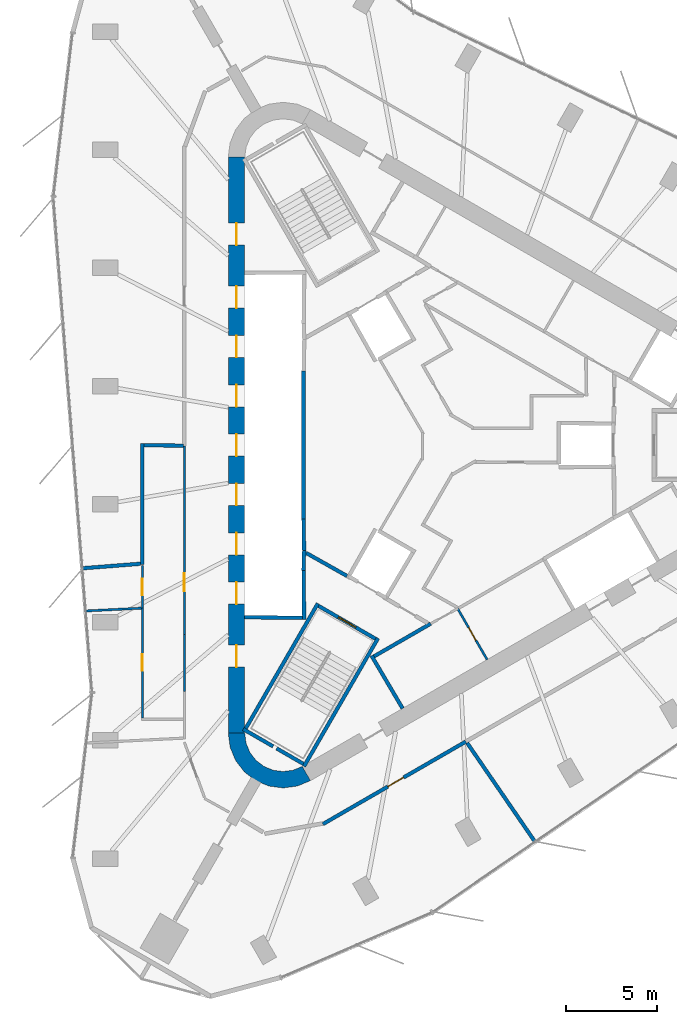
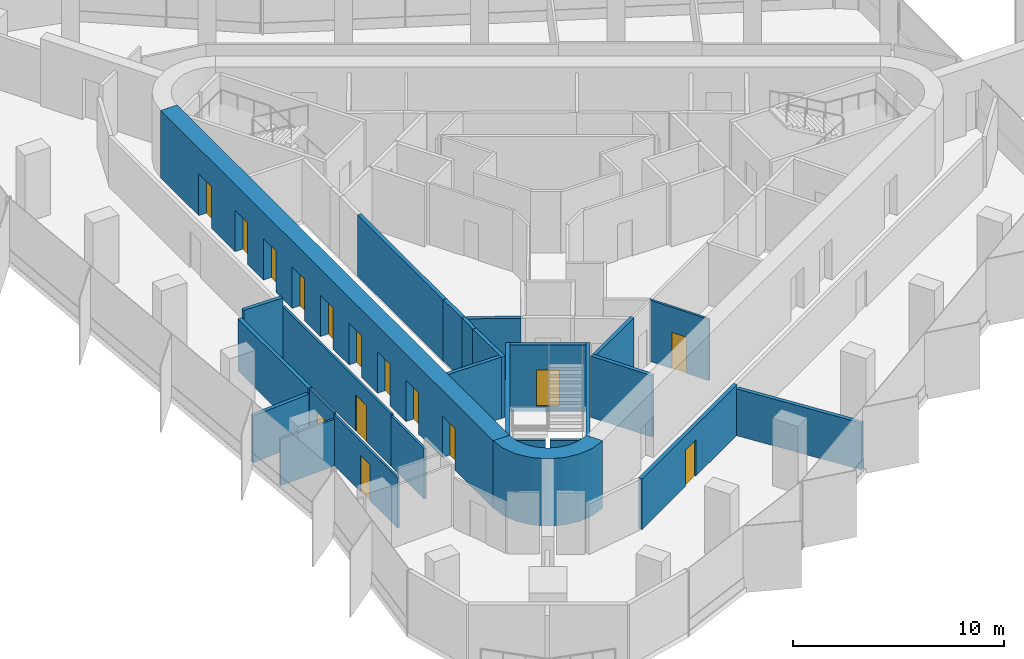
# One storey, part 7 of 12: 26 walls, 15 doors, 15 openings.
"""IFC4 building model written with IfcOpenShell, lengths in metres."""

import ifcopenshell
import ifcopenshell.guid

model = None  # the IFC model being written
_history = None  # IfcOwnerHistory: only IFC2X3 demands one
_inside = {}  # id of a spatial element -> (the spatial element, [elements in it])
_under = {}  # id of a project, library or spatial element -> (it, [spatial elements below it])
_declared = {}  # id of a project -> (the project, [libraries it declares])
_typed = {}  # id of a type object -> (the type object, [elements of that type])
_made_of = {}  # id of a material, layer set ... -> (it, [elements and type objects made of it])


def new_model(schema):
    """Start an empty IFC model of exactly this schema.

    Asked for "IFC4X3", IfcOpenShell would pick the latest addendum, in which some entities
    have other attributes; the version numbers below select the first issue.
    IFC2X3 requires an IfcOwnerHistory on every rooted entity: one is made here for all.
    """
    global model, _history
    if schema == "IFC4X3":
        model = ifcopenshell.file(schema_version=(4, 3, 0, 0))
    else:
        model = ifcopenshell.file(schema=schema)
    _inside.clear()
    _under.clear()
    _declared.clear()
    _typed.clear()
    _made_of.clear()
    _history = None
    if model.schema == "IFC2X3":
        org = make("IfcOrganization", Name="unknown")
        user = make(
            "IfcPersonAndOrganization",
            ThePerson=make("IfcPerson", FamilyName="unknown"),
            TheOrganization=org,
        )
        app = make(
            "IfcApplication",
            ApplicationDeveloper=org,
            Version="unknown",
            ApplicationFullName="unknown",
            ApplicationIdentifier="unknown",
        )
        _history = make(
            "IfcOwnerHistory",
            OwningUser=user,
            OwningApplication=app,
            ChangeAction="ADDED",
            CreationDate=0,
        )
    return model


def make(cls, **values):
    """One entity of the class cls with the attributes given. An attribute that is None is left unset."""
    return model.create_entity(
        cls, **{name: value for name, value in values.items() if value is not None}
    )


def rooted(cls, **values):
    """An entity with a GlobalId (a new one), such as an element, a storey or a relation."""
    return make(cls, GlobalId=ifcopenshell.guid.new(), OwnerHistory=_history, **values)


def si_unit(unit_type, name, prefix=None):
    """IfcSIUnit, for example si_unit("LENGTHUNIT", "METRE", prefix="MILLI")."""
    return make("IfcSIUnit", UnitType=unit_type, Prefix=prefix, Name=name)


def assignment(units):
    """IfcUnitAssignment: the units of a project."""
    return None if units is None else make("IfcUnitAssignment", Units=units)


def point(xyz):
    """IfcCartesianPoint."""
    return None if xyz is None else make("IfcCartesianPoint", Coordinates=xyz)


def direction(xyz):
    """IfcDirection."""
    return None if xyz is None else make("IfcDirection", DirectionRatios=xyz)


def frame(location, z_axis=None, x_axis=None):
    """IfcAxis2Placement3D, a coordinate frame: its origin and axes. An axis left out is left unset."""
    return make(
        "IfcAxis2Placement3D",
        Location=point(location),
        Axis=direction(z_axis),
        RefDirection=direction(x_axis),
    )


def frame_2d(location, x_axis=None):
    """IfcAxis2Placement2D, a coordinate frame in the plane: its origin and x axis."""
    return make(
        "IfcAxis2Placement2D", Location=point(location), RefDirection=direction(x_axis)
    )


def origin():
    """The frame at (0, 0, 0) with its axes left unset."""
    return frame((0.0, 0.0, 0.0))


def place(relative_to, where):
    """IfcLocalPlacement: puts the frame where relative to a parent placement (None: the world)."""
    return make(
        "IfcLocalPlacement", PlacementRelTo=relative_to, RelativePlacement=where
    )


def context(
    kind, dimensions, precision=None, world=None, true_north=None, identifier=None
):
    """IfcGeometricRepresentationContext, for example the 3D "Model" context."""
    return make(
        "IfcGeometricRepresentationContext",
        ContextIdentifier=identifier,
        ContextType=kind,
        CoordinateSpaceDimension=dimensions,
        Precision=precision,
        WorldCoordinateSystem=world,
        TrueNorth=true_north,
    )


def subcontext(parent, identifier, kind, view, scale=None):
    """IfcGeometricRepresentationSubContext, for example "Body" below "Model"."""
    return make(
        "IfcGeometricRepresentationSubContext",
        ContextIdentifier=identifier,
        ContextType=kind,
        ParentContext=parent,
        TargetScale=scale,
        TargetView=view,
    )


def project(units=None, contexts=None):
    """IfcProject with its units and contexts."""
    return rooted(
        "IfcProject",
        Name="project",
        RepresentationContexts=contexts,
        UnitsInContext=assignment(units),
    )


def spatial(cls, under=None, at=None, **own):
    """A site, building, storey or space (cls), placed at a placement, below another one or the project."""
    s = rooted(cls, ObjectPlacement=at, **own)
    if under is not None:
        _under.setdefault(under.id(), (under, []))[1].append(s)
    return s


def polyline(points):
    """IfcPolyline through the points."""
    return make("IfcPolyline", Points=[point(p) for p in points])


def profile(cls, at=None, kind="AREA", **sizes):
    """A parametric profile (cls). Its sizes go by their IFC names, for example OverallWidth=200.0."""
    return make(cls, ProfileType=kind, Position=at, **sizes)


def rectangle(**sizes):
    """IfcRectangleProfileDef."""
    return profile("IfcRectangleProfileDef", **sizes)


def outline(outer, holes=None, kind="AREA"):
    """IfcArbitraryClosedProfileDef: a profile drawn as a closed curve; with holes, ...WithVoids."""
    if holes is None:
        return make("IfcArbitraryClosedProfileDef", ProfileType=kind, OuterCurve=outer)
    return make(
        "IfcArbitraryProfileDefWithVoids",
        ProfileType=kind,
        OuterCurve=outer,
        InnerCurves=holes,
    )


def extrude(swept, where, along, depth):
    """IfcExtrudedAreaSolid: the profile swept, set in the frame where, extruded along a direction by depth."""
    return make(
        "IfcExtrudedAreaSolid",
        SweptArea=swept,
        Position=where,
        ExtrudedDirection=direction(along),
        Depth=depth,
    )


def shape(context_of_items, identifier, shape_type, items):
    """IfcShapeRepresentation: the items that make up one representation, for example the "Body"."""
    return make(
        "IfcShapeRepresentation",
        ContextOfItems=context_of_items,
        RepresentationIdentifier=identifier,
        RepresentationType=shape_type,
        Items=items,
    )


def material(Name=None, Category=None):
    """IfcMaterial."""
    return make("IfcMaterial", Name=Name, Category=Category)


def layer(
    of_material, thickness, ventilated=None, Name=None, Category=None, Priority=None
):
    """IfcMaterialLayer: one layer of a wall or slab, of a material (None: an air gap)."""
    return make(
        "IfcMaterialLayer",
        Material=of_material,
        LayerThickness=thickness,
        IsVentilated=ventilated,
        Name=Name,
        Category=Category,
        Priority=Priority,
    )


def layer_set(layers, Name=None):
    """IfcMaterialLayerSet."""
    return make("IfcMaterialLayerSet", MaterialLayers=layers, LayerSetName=Name)


def made_of(thing, what):
    """Note that an element or type object is made of a material, layer set ...; save() writes the relation."""
    if what is not None:
        _made_of.setdefault(what.id(), (what, []))[1].append(thing)
    return thing


def type_object(cls, material=None, **own):
    """A type object (cls), such as IfcWallType, which elements share."""
    return made_of(rooted(cls, **own), material)


def element(
    cls,
    number,
    at=None,
    inside=None,
    cuts=None,
    type_object=None,
    material=None,
    context=None,
    identifier="Body",
    shape_type=None,
    held_by="IfcProductDefinitionShape",
    body=None,
    shapes=None,
    **own,
):
    """One element of the class cls, such as IfcWall. Its Tag is "e" and its number.

    at: its placement. inside: the storey or other place that contains it. cuts: it is an
    opening in that element (IfcRelVoidsElement). A single representation is given by context,
    identifier, shape_type and body (its items); several are given by shapes. held_by: the class
    of the entity that holds the representations. save() writes the other relations.
    """
    e = rooted(cls, Tag="e%d" % number, ObjectPlacement=at, **own)
    if body is not None:
        shapes = [shape(context, identifier, shape_type, body)]
    if shapes is not None:
        e.Representation = make(held_by, Representations=shapes)
    if inside is not None:
        _inside.setdefault(inside.id(), (inside, []))[1].append(e)
    if cuts is not None:
        rooted(
            "IfcRelVoidsElement", RelatingBuildingElement=cuts, RelatedOpeningElement=e
        )
    if type_object is not None:
        _typed.setdefault(type_object.id(), (type_object, []))[1].append(e)
    return made_of(e, material)


def fill(opening, filler):
    """IfcRelFillsElement: the door or window that sits in an opening."""
    return rooted(
        "IfcRelFillsElement",
        RelatingOpeningElement=opening,
        RelatedBuildingElement=filler,
    )


def aggregate(whole, parts):
    """IfcRelAggregates: a whole, such as a stair, and the parts it consists of."""
    return rooted("IfcRelAggregates", RelatingObject=whole, RelatedObjects=parts)


def save(model, path):
    """Write the relations noted so far, then the file.

    IfcRelAggregates (storeys below a building ...), IfcRelContainedInSpatialStructure (elements
    in a storey), IfcRelDefinesByType, IfcRelAssociatesMaterial and IfcRelDeclares: one each for
    every whole, place, type object, material and project.
    """
    for whole, parts in _under.values():
        aggregate(whole, parts)
    for where, things in _inside.values():
        rooted(
            "IfcRelContainedInSpatialStructure",
            RelatedElements=things,
            RelatingStructure=where,
        )
    for kind, things in _typed.values():
        rooted("IfcRelDefinesByType", RelatedObjects=things, RelatingType=kind)
    for what, things in _made_of.values():
        rooted("IfcRelAssociatesMaterial", RelatedObjects=things, RelatingMaterial=what)
    for by, libraries in _declared.values():
        rooted("IfcRelDeclares", RelatingContext=by, RelatedDefinitions=libraries)
    model.write(path)


model = new_model("IFC4")

# Units and contexts
model_context = context("Model", 3, precision=1e-05, world=origin(), true_north=direction((0.0, 1.0)))
body_context = subcontext(model_context, "Body", "Model", "MODEL_VIEW")
ifc_project = project(units=[si_unit("LENGTHUNIT", "METRE"), si_unit("AREAUNIT", "SQUARE_METRE"), si_unit("VOLUMEUNIT", "CUBIC_METRE"), si_unit("PLANEANGLEUNIT", "RADIAN"), si_unit("MASSUNIT", "GRAM", prefix="KILO")], contexts=[model_context])

# Site, building, storey
site_placement = place(None, origin())
site = spatial("IfcSite", under=ifc_project, at=site_placement, CompositionType="ELEMENT")
building_placement = place(site_placement, origin())
building = spatial("IfcBuilding", under=site, at=building_placement, Name="Tanit Gate Tower", CompositionType="ELEMENT")
storey_placement = place(building_placement, frame((0.0, 0.0, 388.39990234375)))
storey = spatial("IfcBuildingStorey", under=building, at=storey_placement, Name="L89", CompositionType="ELEMENT", Elevation=388.39990234375)

# Wall, openings, doors
ifc_material_1 = material(Name="Concrete C40/50", Category="concrete")
ifc_layer_1 = layer(ifc_material_1, 0.89990234375)
ifc_layer_set_1 = layer_set([ifc_layer_1], Name="CORE WALL 900 C40/50")
wall_type_1 = type_object("IfcWallType", Name="CORE WALL 900 C40/50", PredefinedType="SHEAR", material=ifc_layer_set_1)
wall_1_placement = place(storey_placement, frame((-11.64990234375, 15.76171875, 0.0), z_axis=(0.0, 0.0, 1.0), x_axis=(0.0, -1.0, 0.0)))
wall_1 = element("IfcWall", 1, at=wall_1_placement, inside=storey, type_object=wall_type_1, Name="CORE WALL", PredefinedType="SHEAR", context=body_context, shape_type="SweptSolid", body=[
    extrude(rectangle(XDim=31.5234375, YDim=0.89990234375, at=frame_2d((15.76171875, 0.0))), origin(), (0.0, 0.0, 1.0), 3.900146484375),
])
opening_1_placement = place(wall_1_placement, frame((7.061767578125, 0.0, 0.0)))
opening_1 = element("IfcOpeningElement", 2, at=opening_1_placement, cuts=wall_1, Name="Opening LDHL1-89", PredefinedType="OPENING", context=body_context, shape_type="SweptSolid", body=[
    extrude(rectangle(XDim=1.199951171875, YDim=2.39990234375, at=frame_2d((0.60009765625, 1.199951171875))), frame((0.0, 0.4599609375, 0.0), z_axis=(0.0, -1.0, 0.0), x_axis=(1.0, 0.0, 0.0)), (0.0, 0.0, 1.0), 0.919921875),
])
opening_2_placement = place(wall_1_placement, frame((9.76171875, 0.0, 0.0)))
opening_2 = element("IfcOpeningElement", 3, at=opening_2_placement, cuts=wall_1, Name="Opening LDHL2-89", PredefinedType="OPENING", context=body_context, shape_type="SweptSolid", body=[
    extrude(rectangle(XDim=1.199951171875, YDim=2.39990234375, at=frame_2d((0.60009765625, 1.199951171875))), frame((0.0, 0.4599609375, 0.0), z_axis=(0.0, -1.0, 0.0), x_axis=(1.0, 0.0, 0.0)), (0.0, 0.0, 1.0), 0.919921875),
])
opening_3_placement = place(wall_1_placement, frame((12.461669921875, 0.0, 0.0)))
opening_3 = element("IfcOpeningElement", 4, at=opening_3_placement, cuts=wall_1, Name="Opening LDHL3-89", PredefinedType="OPENING", context=body_context, shape_type="SweptSolid", body=[
    extrude(rectangle(XDim=1.199951171875, YDim=2.39990234375, at=frame_2d((0.60009765625, 1.199951171875))), frame((0.0, 0.4599609375, 0.0), z_axis=(0.0, -1.0, 0.0), x_axis=(1.0, 0.0, 0.0)), (0.0, 0.0, 1.0), 0.919921875),
])
opening_4_placement = place(wall_1_placement, frame((15.16162109375, 0.0, 0.0)))
opening_4 = element("IfcOpeningElement", 5, at=opening_4_placement, cuts=wall_1, Name="Opening LDHL4-89", PredefinedType="OPENING", context=body_context, shape_type="SweptSolid", body=[
    extrude(rectangle(XDim=1.199951171875, YDim=2.39990234375, at=frame_2d((0.60009765625, 1.199951171875))), frame((0.0, 0.4599609375, 0.0), z_axis=(0.0, -1.0, 0.0), x_axis=(1.0, 0.0, 0.0)), (0.0, 0.0, 1.0), 0.919921875),
])
opening_5_placement = place(wall_1_placement, frame((17.86181640625, 0.0, 0.0)))
opening_5 = element("IfcOpeningElement", 6, at=opening_5_placement, cuts=wall_1, Name="Opening LDHL5-89", PredefinedType="OPENING", context=body_context, shape_type="SweptSolid", body=[
    extrude(rectangle(XDim=1.199951171875, YDim=2.39990234375, at=frame_2d((0.60009765625, 1.199951171875))), frame((0.0, 0.4599609375, 0.0), z_axis=(0.0, -1.0, 0.0), x_axis=(1.0, 0.0, 0.0)), (0.0, 0.0, 1.0), 0.919921875),
])
opening_6_placement = place(wall_1_placement, frame((20.561767578125, 0.0, 0.0)))
opening_6 = element("IfcOpeningElement", 7, at=opening_6_placement, cuts=wall_1, Name="Opening LDHL6-89", PredefinedType="OPENING", context=body_context, shape_type="SweptSolid", body=[
    extrude(rectangle(XDim=1.199951171875, YDim=2.39990234375, at=frame_2d((0.60009765625, 1.199951171875))), frame((0.0, 0.4599609375, 0.0), z_axis=(0.0, -1.0, 0.0), x_axis=(1.0, 0.0, 0.0)), (0.0, 0.0, 1.0), 0.919921875),
])
opening_7_placement = place(wall_1_placement, frame((23.26171875, 0.0, 0.0)))
opening_7 = element("IfcOpeningElement", 8, at=opening_7_placement, cuts=wall_1, Name="Opening LDHL7-89", PredefinedType="OPENING", context=body_context, shape_type="SweptSolid", body=[
    extrude(rectangle(XDim=1.199951171875, YDim=2.39990234375, at=frame_2d((0.60009765625, 1.199951171875))), frame((0.0, 0.4599609375, 0.0), z_axis=(0.0, -1.0, 0.0), x_axis=(1.0, 0.0, 0.0)), (0.0, 0.0, 1.0), 0.919921875),
])
opening_8_placement = place(wall_1_placement, frame((3.61181640625, 0.0, 0.0)))
opening_8 = element("IfcOpeningElement", 9, at=opening_8_placement, cuts=wall_1, Name="Opening F12-89-FL2", PredefinedType="OPENING", context=body_context, shape_type="SweptSolid", body=[
    extrude(rectangle(XDim=1.199951171875, YDim=2.39990234375, at=frame_2d((0.60009765625, 1.199951171875))), frame((0.0, 0.4599609375, 0.0), z_axis=(0.0, -1.0, 0.0), x_axis=(1.0, 0.0, 0.0)), (0.0, 0.0, 1.0), 0.919921875),
])
opening_9_placement = place(wall_1_placement, frame((26.711669921875, 0.0, 0.0)))
opening_9 = element("IfcOpeningElement", 10, at=opening_9_placement, cuts=wall_1, Name="Opening F12-89-S3", PredefinedType="OPENING", context=body_context, shape_type="SweptSolid", body=[
    extrude(rectangle(XDim=1.199951171875, YDim=2.39990234375, at=frame_2d((0.60009765625, 1.199951171875))), frame((0.0, 0.4599609375, 0.0), z_axis=(0.0, -1.0, 0.0), x_axis=(1.0, 0.0, 0.0)), (0.0, 0.0, 1.0), 0.919921875),
])
ifc_material_2 = material(Name="Fire-rated steel door leaf", Category="steel")
door_type_1 = type_object("IfcDoorType", Name="INT-DOOR-FIRE-LOBBY-1200", OperationType="NOTDEFINED", PredefinedType="USERDEFINED", material=ifc_material_2)
door_1_placement = place(opening_8_placement, origin())
door_1 = element("IfcDoor", 11, at=door_1_placement, inside=storey, type_object=door_type_1, Name="Door F12-89-FL2", ObjectType="FIRE DOOR", OperationType="SINGLE_SWING_LEFT", OverallHeight=2.39990234375, OverallWidth=1.199951171875, PredefinedType="USERDEFINED", context=body_context, shape_type="SweptSolid", body=[
    extrude(rectangle(XDim=1.199951171875, YDim=2.39990234375, at=frame_2d((0.60009765625, 1.199951171875))), frame((0.0, 0.02490234375, 0.0), z_axis=(0.0, -1.0, 0.0), x_axis=(1.0, 0.0, 0.0)), (0.0, 0.0, 1.0), 0.050048828125),
])
fill(opening_8, door_1)
door_2_placement = place(opening_9_placement, origin())
door_2 = element("IfcDoor", 12, at=door_2_placement, inside=storey, type_object=door_type_1, Name="Door F12-89-S3", ObjectType="FIRE DOOR", OperationType="SINGLE_SWING_LEFT", OverallHeight=2.39990234375, OverallWidth=1.199951171875, PredefinedType="USERDEFINED", context=body_context, shape_type="SweptSolid", body=[
    extrude(rectangle(XDim=1.199951171875, YDim=2.39990234375, at=frame_2d((0.60009765625, 1.199951171875))), frame((0.0, 0.02490234375, 0.0), z_axis=(0.0, -1.0, 0.0), x_axis=(1.0, 0.0, 0.0)), (0.0, 0.0, 1.0), 0.050048828125),
])
fill(opening_9, door_2)
ifc_material_3 = material(Name="Stainless steel sliding door leaf", Category="steel")
door_type_2 = type_object("IfcDoorType", Name="INT-DOOR-LANDING-1200", OperationType="NOTDEFINED", PredefinedType="USERDEFINED", material=ifc_material_3)
door_3_placement = place(opening_1_placement, origin())
door_3 = element("IfcDoor", 13, at=door_3_placement, inside=storey, type_object=door_type_2, Name="Door LDHL1-89", ObjectType="LANDING DOOR", OperationType="SLIDING_TO_LEFT", OverallHeight=2.39990234375, OverallWidth=1.199951171875, PredefinedType="USERDEFINED", context=body_context, shape_type="SweptSolid", body=[
    extrude(rectangle(XDim=1.199951171875, YDim=2.39990234375, at=frame_2d((0.60009765625, 1.199951171875))), frame((0.0, 0.02490234375, 0.0), z_axis=(0.0, -1.0, 0.0), x_axis=(1.0, 0.0, 0.0)), (0.0, 0.0, 1.0), 0.050048828125),
])
fill(opening_1, door_3)
door_4_placement = place(opening_2_placement, origin())
door_4 = element("IfcDoor", 14, at=door_4_placement, inside=storey, type_object=door_type_2, Name="Door LDHL2-89", ObjectType="LANDING DOOR", OperationType="SLIDING_TO_LEFT", OverallHeight=2.39990234375, OverallWidth=1.199951171875, PredefinedType="USERDEFINED", context=body_context, shape_type="SweptSolid", body=[
    extrude(rectangle(XDim=1.199951171875, YDim=2.39990234375, at=frame_2d((0.60009765625, 1.199951171875))), frame((0.0, 0.02490234375, 0.0), z_axis=(0.0, -1.0, 0.0), x_axis=(1.0, 0.0, 0.0)), (0.0, 0.0, 1.0), 0.050048828125),
])
fill(opening_2, door_4)
door_5_placement = place(opening_3_placement, origin())
door_5 = element("IfcDoor", 15, at=door_5_placement, inside=storey, type_object=door_type_2, Name="Door LDHL3-89", ObjectType="LANDING DOOR", OperationType="SLIDING_TO_LEFT", OverallHeight=2.39990234375, OverallWidth=1.199951171875, PredefinedType="USERDEFINED", context=body_context, shape_type="SweptSolid", body=[
    extrude(rectangle(XDim=1.199951171875, YDim=2.39990234375, at=frame_2d((0.60009765625, 1.199951171875))), frame((0.0, 0.02490234375, 0.0), z_axis=(0.0, -1.0, 0.0), x_axis=(1.0, 0.0, 0.0)), (0.0, 0.0, 1.0), 0.050048828125),
])
fill(opening_3, door_5)
door_6_placement = place(opening_4_placement, origin())
door_6 = element("IfcDoor", 16, at=door_6_placement, inside=storey, type_object=door_type_2, Name="Door LDHL4-89", ObjectType="LANDING DOOR", OperationType="SLIDING_TO_LEFT", OverallHeight=2.39990234375, OverallWidth=1.199951171875, PredefinedType="USERDEFINED", context=body_context, shape_type="SweptSolid", body=[
    extrude(rectangle(XDim=1.199951171875, YDim=2.39990234375, at=frame_2d((0.60009765625, 1.199951171875))), frame((0.0, 0.02490234375, 0.0), z_axis=(0.0, -1.0, 0.0), x_axis=(1.0, 0.0, 0.0)), (0.0, 0.0, 1.0), 0.050048828125),
])
fill(opening_4, door_6)
door_7_placement = place(opening_5_placement, origin())
door_7 = element("IfcDoor", 17, at=door_7_placement, inside=storey, type_object=door_type_2, Name="Door LDHL5-89", ObjectType="LANDING DOOR", OperationType="SLIDING_TO_LEFT", OverallHeight=2.39990234375, OverallWidth=1.199951171875, PredefinedType="USERDEFINED", context=body_context, shape_type="SweptSolid", body=[
    extrude(rectangle(XDim=1.199951171875, YDim=2.39990234375, at=frame_2d((0.60009765625, 1.199951171875))), frame((0.0, 0.02490234375, 0.0), z_axis=(0.0, -1.0, 0.0), x_axis=(1.0, 0.0, 0.0)), (0.0, 0.0, 1.0), 0.050048828125),
])
fill(opening_5, door_7)
door_8_placement = place(opening_6_placement, origin())
door_8 = element("IfcDoor", 18, at=door_8_placement, inside=storey, type_object=door_type_2, Name="Door LDHL6-89", ObjectType="LANDING DOOR", OperationType="SLIDING_TO_LEFT", OverallHeight=2.39990234375, OverallWidth=1.199951171875, PredefinedType="USERDEFINED", context=body_context, shape_type="SweptSolid", body=[
    extrude(rectangle(XDim=1.199951171875, YDim=2.39990234375, at=frame_2d((0.60009765625, 1.199951171875))), frame((0.0, 0.02490234375, 0.0), z_axis=(0.0, -1.0, 0.0), x_axis=(1.0, 0.0, 0.0)), (0.0, 0.0, 1.0), 0.050048828125),
])
fill(opening_6, door_8)
door_9_placement = place(opening_7_placement, origin())
door_9 = element("IfcDoor", 19, at=door_9_placement, inside=storey, type_object=door_type_2, Name="Door LDHL7-89", ObjectType="LANDING DOOR", OperationType="SLIDING_TO_LEFT", OverallHeight=2.39990234375, OverallWidth=1.199951171875, PredefinedType="USERDEFINED", context=body_context, shape_type="SweptSolid", body=[
    extrude(rectangle(XDim=1.199951171875, YDim=2.39990234375, at=frame_2d((0.60009765625, 1.199951171875))), frame((0.0, 0.02490234375, 0.0), z_axis=(0.0, -1.0, 0.0), x_axis=(1.0, 0.0, 0.0)), (0.0, 0.0, 1.0), 0.050048828125),
])
fill(opening_7, door_9)

# Walls
wall_2_placement = place(storey_placement, origin())
element("IfcWall", 20, at=wall_2_placement, inside=storey, type_object=wall_type_1, Name="CORE WALL CORNER", PredefinedType="SHEAR", context=body_context, shape_type="SweptSolid", body=[
    extrude(outline(polyline([(-12.10009765625, -15.76171875), (-11.997802734375, -16.5380859375), (-11.697998046875, -17.26171875), (-11.22119140625, -17.883056640625), (-10.60009765625, -18.359619140625), (-9.87646484375, -18.659423828125), (-9.10009765625, -18.76171875), (-8.323486328125, -18.659423828125), (-7.60009765625, -18.359619140625), (-8.050048828125, -17.580322265625), (-8.556396484375, -17.7900390625), (-9.10009765625, -17.86181640625), (-9.6435546875, -17.7900390625), (-10.14990234375, -17.580322265625), (-10.5849609375, -17.24658203125), (-10.918701171875, -16.811767578125), (-11.12841796875, -16.30517578125), (-11.199951171875, -15.76171875), (-12.10009765625, -15.76171875)])), origin(), (0.0, 0.0, 1.0), 3.900146484375),
])
ifc_material_4 = material(Name="Fire-rated gypsum board partition")
ifc_layer_2 = layer(ifc_material_4, 0.199951171875)
ifc_layer_set_2 = layer_set([ifc_layer_2], Name="INT-WALL-COMPARTMENT")
wall_type_2 = type_object("IfcWallType", Name="INT-WALL-COMPARTMENT", PredefinedType="PARTITIONING", material=ifc_layer_set_2)
wall_3_placement = place(storey_placement, frame((-4.259765625, -11.523681640625, 0.0), z_axis=(0.0, 0.0, 1.0), x_axis=(0.507997497166, -0.861358544901, 0.0)))
element("IfcWall", 21, at=wall_3_placement, inside=storey, type_object=wall_type_2, Name="Wall Compartment W058", PredefinedType="PARTITIONING", context=body_context, shape_type="SweptSolid", body=[
    extrude(rectangle(XDim=3.350341796875, YDim=0.199951171875, at=frame_2d((1.67529296875, 0.0))), origin(), (0.0, 0.0, 1.0), 3.550048828125),
])
wall_4_placement = place(storey_placement, frame((-1.02392578125, -9.77099609375, 0.0), z_axis=(0.0, 0.0, 1.0), x_axis=(-0.866029903013, -0.499992207027, 0.0)))
element("IfcWall", 22, at=wall_4_placement, inside=storey, type_object=wall_type_2, Name="Wall Compartment W059", PredefinedType="PARTITIONING", context=body_context, shape_type="SweptSolid", body=[
    extrude(rectangle(XDim=3.57763671875, YDim=0.199951171875, at=frame_2d((1.788818359375, 0.0))), origin(), (0.0, 0.0, 1.0), 3.550048828125),
])
wall_5_placement = place(storey_placement, frame((-7.84912109375, -5.893798828125, 0.0), z_axis=(0.0, 0.0, 1.0), x_axis=(0.871340486379, -0.490678873396, 0.0)))
element("IfcWall", 23, at=wall_5_placement, inside=storey, type_object=wall_type_2, Name="Wall Compartment W068", PredefinedType="PARTITIONING", context=body_context, shape_type="SweptSolid", body=[
    extrude(rectangle(XDim=2.580810546875, YDim=0.199951171875, at=frame_2d((1.29052734375, 0.0))), origin(), (0.0, 0.0, 1.0), 3.550048828125),
])
wall_6_placement = place(storey_placement, frame((-16.800048828125, 0.10009765625, 0.0), z_axis=(0.0, 0.0, 1.0), x_axis=(0.0, -1.0, 0.0)))
element("IfcWall", 24, at=wall_6_placement, inside=storey, type_object=wall_type_2, Name="Wall Compartment W096", PredefinedType="PARTITIONING", context=body_context, shape_type="SweptSolid", body=[
    extrude(rectangle(XDim=6.64306640625, YDim=0.199951171875, at=frame_2d((3.321533203125, 0.0))), origin(), (0.0, 0.0, 1.0), 3.02001953125),
])
wall_7_placement = place(storey_placement, frame((-14.56005859375, -0.029296875, 0.0), z_axis=(0.0, 0.0, 1.0), x_axis=(-0.999913939121, 0.013119235938, 0.0)))
element("IfcWall", 25, at=wall_7_placement, inside=storey, type_object=wall_type_2, Name="Wall Compartment W097", PredefinedType="PARTITIONING", context=body_context, shape_type="SweptSolid", body=[
    extrude(rectangle(XDim=2.14013671875, YDim=0.199951171875, at=frame_2d((1.070068359375, 0.0))), origin(), (0.0, 0.0, 1.0), 3.550048828125),
])
wall_8_placement = place(storey_placement, frame((-20.08740234375, -6.739501953125, 0.0), z_axis=(0.0, 0.0, 1.0), x_axis=(0.996968067966, 0.077811769398, 0.0)))
element("IfcWall", 26, at=wall_8_placement, inside=storey, type_object=wall_type_2, Name="Wall Compartment W102", PredefinedType="PARTITIONING", context=body_context, shape_type="SweptSolid", body=[
    extrude(rectangle(XDim=3.197265625, YDim=0.199951171875, at=frame_2d((1.5986328125, 0.0))), origin(), (0.0, 0.0, 1.0), 2.7060546875),
])

# Wall, opening, door
wall_9_placement = place(storey_placement, frame((-6.921875, -20.739501953125, 0.0), z_axis=(0.0, 0.0, 1.0), x_axis=(0.866029303206, 0.499993245944, 0.0)))
wall_9 = element("IfcWall", 27, at=wall_9_placement, inside=storey, type_object=wall_type_2, Name="Wall Compartment W117", PredefinedType="PARTITIONING", context=body_context, shape_type="SweptSolid", body=[
    extrude(rectangle(XDim=9.02685546875, YDim=0.199951171875, at=frame_2d((4.513427734375, 0.0))), origin(), (0.0, 0.0, 1.0), 2.920166015625),
])
opening_10_placement = place(wall_9_placement, frame((4.10009765625, 0.0, 0.0)))
opening_10 = element("IfcOpeningElement", 28, at=opening_10_placement, cuts=wall_9, Name="Opening F10-89-27", PredefinedType="OPENING", context=body_context, shape_type="SweptSolid", body=[
    extrude(rectangle(XDim=1.0, YDim=2.10009765625, at=frame_2d((0.5, 1.050048828125))), frame((0.0, 0.10986328125, 0.0), z_axis=(0.0, -1.0, 0.0), x_axis=(1.0, 0.0, 0.0)), (0.0, 0.0, 1.0), 0.219970703125),
])
ifc_material_5 = material(Name="Fire-rated steel door leaf", Category="steel")
door_type_3 = type_object("IfcDoorType", Name="INT-DOOR-FIRE-1000", OperationType="NOTDEFINED", PredefinedType="USERDEFINED", material=ifc_material_5)
door_10_placement = place(opening_10_placement, origin())
door_10 = element("IfcDoor", 29, at=door_10_placement, inside=storey, type_object=door_type_3, Name="Door F10-89-27", ObjectType="FIRE DOOR", OperationType="SINGLE_SWING_RIGHT", OverallHeight=2.10009765625, OverallWidth=1.0, PredefinedType="USERDEFINED", context=body_context, shape_type="SweptSolid", body=[
    extrude(rectangle(XDim=1.0, YDim=2.10009765625, at=frame_2d((0.5, 1.050048828125))), frame((0.0, 0.02490234375, 0.0), z_axis=(0.0, -1.0, 0.0), x_axis=(1.0, 0.0, 0.0)), (0.0, 0.0, 1.0), 0.050048828125),
])
fill(opening_10, door_10)

# Wall
wall_10_placement = place(storey_placement, frame((0.97314453125, -16.296630859375, 0.0), z_axis=(0.0, 0.0, 1.0), x_axis=(0.565884636712, -0.824484431589, 0.0)))
element("IfcWall", 30, at=wall_10_placement, inside=storey, type_object=wall_type_2, Name="Wall Compartment W122", PredefinedType="PARTITIONING", context=body_context, shape_type="SweptSolid", body=[
    extrude(rectangle(XDim=6.564208984375, YDim=0.199951171875, at=frame_2d((3.2822265625, 0.0))), origin(), (0.0, 0.0, 1.0), 2.7060546875),
])

# Wall, opening, door
ifc_material_6 = material(Name="Gypsum board partition")
ifc_layer_3 = layer(ifc_material_6, 0.1201171875)
ifc_layer_set_3 = layer_set([ifc_layer_3], Name="INT-WALL-PARTITION")
wall_type_3 = type_object("IfcWallType", Name="INT-WALL-PARTITION", PredefinedType="PARTITIONING", material=ifc_layer_set_3)
wall_11_placement = place(storey_placement, frame((2.066650390625, -11.739501953125, 0.0), z_axis=(0.0, 0.0, 1.0), x_axis=(-0.499984717929, 0.866034226713, 0.0)))
wall_11 = element("IfcWall", 31, at=wall_11_placement, inside=storey, type_object=wall_type_3, Name="Wall Partition W057", PredefinedType="PARTITIONING", context=body_context, shape_type="SweptSolid", body=[
    extrude(rectangle(XDim=3.25, YDim=0.1201171875, at=frame_2d((1.625, 0.0))), origin(), (0.0, 0.0, 1.0), 3.550048828125),
])
opening_11_placement = place(wall_11_placement, frame((1.22509765625, 0.0, 0.0)))
opening_11 = element("IfcOpeningElement", 32, at=opening_11_placement, cuts=wall_11, Name="Opening R08-89-18", PredefinedType="OPENING", context=body_context, shape_type="SweptSolid", body=[
    extrude(rectangle(XDim=0.800048828125, YDim=2.10009765625, at=frame_2d((0.39990234375, 1.050048828125))), frame((0.0, 0.070068359375, 0.0), z_axis=(0.0, -1.0, 0.0), x_axis=(1.0, 0.0, 0.0)), (0.0, 0.0, 1.0), 0.14013671875),
])
ifc_material_7 = material(Name="Timber door leaf", Category="wood")
door_type_4 = type_object("IfcDoorType", Name="INT-DOOR-RISER-800", OperationType="NOTDEFINED", PredefinedType="USERDEFINED", material=ifc_material_7)
door_11_placement = place(opening_11_placement, origin())
door_11 = element("IfcDoor", 33, at=door_11_placement, inside=storey, type_object=door_type_4, Name="Door R08-89-18", ObjectType="FIRE DOOR", OperationType="SINGLE_SWING_RIGHT", OverallHeight=2.10009765625, OverallWidth=0.800048828125, PredefinedType="USERDEFINED", context=body_context, shape_type="SweptSolid", body=[
    extrude(rectangle(XDim=0.800048828125, YDim=2.10009765625, at=frame_2d((0.39990234375, 1.050048828125))), frame((0.0, 0.02490234375, 0.0), z_axis=(0.0, -1.0, 0.0), x_axis=(1.0, 0.0, 0.0)), (0.0, 0.0, 1.0), 0.050048828125),
])
fill(opening_11, door_11)

wall_12_placement = place(storey_placement, frame((-14.5, -0.050048828125, 0.0), z_axis=(0.0, 0.0, 1.0), x_axis=(0.0, -1.0, 0.0)))
wall_12 = element("IfcWall", 34, at=wall_12_placement, inside=storey, type_object=wall_type_3, Name="Wall Partition W089", PredefinedType="PARTITIONING", context=body_context, shape_type="SweptSolid", body=[
    extrude(rectangle(XDim=10.310302734375, YDim=0.1201171875, at=frame_2d((5.1552734375, 0.0))), origin(), (0.0, 0.0, 1.0), 3.02001953125),
])
opening_12_placement = place(wall_12_placement, frame((6.949951171875, 0.0, 0.0)))
opening_12 = element("IfcOpeningElement", 35, at=opening_12_placement, cuts=wall_12, Name="Opening D10-89-29", PredefinedType="OPENING", context=body_context, shape_type="SweptSolid", body=[
    extrude(rectangle(XDim=1.0, YDim=2.10009765625, at=frame_2d((0.5, 1.050048828125))), frame((0.0, 0.070068359375, 0.0), z_axis=(0.0, -1.0, 0.0), x_axis=(1.0, 0.0, 0.0)), (0.0, 0.0, 1.0), 0.14013671875),
])
ifc_material_8 = material(Name="Timber door leaf", Category="wood")
door_type_5 = type_object("IfcDoorType", Name="INT-DOOR-SINGLE-1000", OperationType="NOTDEFINED", PredefinedType="NOTDEFINED", material=ifc_material_8)
door_12_placement = place(opening_12_placement, origin())
door_12 = element("IfcDoor", 36, at=door_12_placement, inside=storey, type_object=door_type_5, Name="Door D10-89-29", OperationType="SINGLE_SWING_RIGHT", OverallHeight=2.10009765625, OverallWidth=1.0, PredefinedType="NOTDEFINED", context=body_context, shape_type="SweptSolid", body=[
    extrude(rectangle(XDim=1.0, YDim=2.10009765625, at=frame_2d((0.5, 1.050048828125))), frame((0.0, 0.02490234375, 0.0), z_axis=(0.0, -1.0, 0.0), x_axis=(1.0, 0.0, 0.0)), (0.0, 0.0, 1.0), 0.050048828125),
])
fill(opening_12, door_12)

wall_13_placement = place(storey_placement, frame((-16.800048828125, -6.583251953125, 0.0), z_axis=(0.0, 0.0, 1.0), x_axis=(0.0, -1.0, 0.0)))
wall_13 = element("IfcWall", 37, at=wall_13_placement, inside=storey, type_object=wall_type_3, Name="Wall Partition W098", PredefinedType="PARTITIONING", context=body_context, shape_type="SweptSolid", body=[
    extrude(rectangle(XDim=2.334228515625, YDim=0.1201171875, at=frame_2d((1.1669921875, 0.0))), origin(), (0.0, 0.0, 1.0), 3.02001953125),
])
opening_13_placement = place(wall_13_placement, frame((0.73193359375, 0.0, 0.0)))
opening_13 = element("IfcOpeningElement", 38, at=opening_13_placement, cuts=wall_13, Name="Opening D09-89-21", PredefinedType="OPENING", context=body_context, shape_type="SweptSolid", body=[
    extrude(rectangle(XDim=0.89990234375, YDim=2.10009765625, at=frame_2d((0.449951171875, 1.050048828125))), frame((0.0, 0.070068359375, 0.0), z_axis=(0.0, -1.0, 0.0), x_axis=(1.0, 0.0, 0.0)), (0.0, 0.0, 1.0), 0.14013671875),
])
ifc_material_9 = material(Name="Timber door leaf", Category="wood")
door_type_6 = type_object("IfcDoorType", Name="INT-DOOR-SINGLE-900", OperationType="NOTDEFINED", PredefinedType="NOTDEFINED", material=ifc_material_9)
door_13_placement = place(opening_13_placement, origin())
door_13 = element("IfcDoor", 39, at=door_13_placement, inside=storey, type_object=door_type_6, Name="Door D09-89-21", OperationType="SINGLE_SWING_LEFT", OverallHeight=2.10009765625, OverallWidth=0.89990234375, PredefinedType="NOTDEFINED", context=body_context, shape_type="SweptSolid", body=[
    extrude(rectangle(XDim=0.89990234375, YDim=2.10009765625, at=frame_2d((0.449951171875, 1.050048828125))), frame((0.0, 0.02490234375, 0.0), z_axis=(0.0, -1.0, 0.0), x_axis=(1.0, 0.0, 0.0)), (0.0, 0.0, 1.0), 0.050048828125),
])
fill(opening_13, door_13)

wall_14_placement = place(storey_placement, frame((-16.800048828125, -8.91748046875, 0.0), z_axis=(0.0, 0.0, 1.0), x_axis=(0.0, -1.0, 0.0)))
wall_14 = element("IfcWall", 40, at=wall_14_placement, inside=storey, type_object=wall_type_3, Name="Wall Partition W101", PredefinedType="PARTITIONING", context=body_context, shape_type="SweptSolid", body=[
    extrude(rectangle(XDim=6.0224609375, YDim=0.1201171875, at=frame_2d((3.01123046875, 0.0))), origin(), (0.0, 0.0, 1.0), 2.920166015625),
])
opening_14_placement = place(wall_14_placement, frame((2.516357421875, 0.0, 0.0)))
opening_14 = element("IfcOpeningElement", 41, at=opening_14_placement, cuts=wall_14, Name="Opening D09-89-22", PredefinedType="OPENING", context=body_context, shape_type="SweptSolid", body=[
    extrude(rectangle(XDim=0.89990234375, YDim=2.10009765625, at=frame_2d((0.449951171875, 1.050048828125))), frame((0.0, 0.070068359375, 0.0), z_axis=(0.0, -1.0, 0.0), x_axis=(1.0, 0.0, 0.0)), (0.0, 0.0, 1.0), 0.14013671875),
])
door_14_placement = place(opening_14_placement, origin())
door_14 = element("IfcDoor", 42, at=door_14_placement, inside=storey, type_object=door_type_6, Name="Door D09-89-22", OperationType="SINGLE_SWING_LEFT", OverallHeight=2.10009765625, OverallWidth=0.89990234375, PredefinedType="NOTDEFINED", context=body_context, shape_type="SweptSolid", body=[
    extrude(rectangle(XDim=0.89990234375, YDim=2.10009765625, at=frame_2d((0.449951171875, 1.050048828125))), frame((0.0, 0.02490234375, 0.0), z_axis=(0.0, -1.0, 0.0), x_axis=(1.0, 0.0, 0.0)), (0.0, 0.0, 1.0), 0.050048828125),
])
fill(opening_14, door_14)

# Walls
wall_15_placement = place(storey_placement, frame((-14.5, -13.488525390625, 0.0), z_axis=(0.0, 0.0, 1.0), x_axis=(0.0, 1.0, 0.0)))
element("IfcWall", 43, at=wall_15_placement, inside=storey, type_object=wall_type_3, Name="Wall Partition W099", PredefinedType="PARTITIONING", context=body_context, shape_type="SweptSolid", body=[
    extrude(rectangle(XDim=3.128173828125, YDim=0.1201171875, at=frame_2d((1.56396484375, 0.0))), origin(), (0.0, 0.0, 1.0), 2.920166015625),
])
wall_16_placement = place(storey_placement, frame((-16.860107421875, -8.922119140625, 0.0), z_axis=(0.0, 0.0, 1.0), x_axis=(-0.998746741058, -0.050049447816, 0.0)))
element("IfcWall", 44, at=wall_16_placement, inside=storey, type_object=wall_type_3, Name="Wall Partition W105", PredefinedType="PARTITIONING", context=body_context, shape_type="SweptSolid", body=[
    extrude(rectangle(XDim=3.048828125, YDim=0.1201171875, at=frame_2d((1.5244140625, 0.0))), origin(), (0.0, 0.0, 1.0), 2.7060546875),
])
ifc_material_10 = material(Name="Gypsum shaft wall system")
ifc_layer_4 = layer(ifc_material_10, 0.199951171875)
ifc_layer_set_4 = layer_set([ifc_layer_4], Name="INT-WALL-SHAFT")
wall_type_4 = type_object("IfcWallType", Name="INT-WALL-SHAFT", PredefinedType="PLUMBINGWALL", material=ifc_layer_set_4)
wall_17_placement = place(storey_placement, frame((-7.97998046875, 4.050048828125, 0.0), z_axis=(0.0, 0.0, 1.0), x_axis=(0.0, -1.0, 0.0)))
element("IfcWall", 45, at=wall_17_placement, inside=storey, type_object=wall_type_4, Name="Wall Shaft W005", PredefinedType="PLUMBINGWALL", context=body_context, shape_type="SweptSolid", body=[
    extrude(rectangle(XDim=8.10009765625, YDim=0.199951171875, at=frame_2d((4.050048828125, 0.0))), origin(), (0.0, 0.0, 1.0), 3.550048828125),
])
wall_18_placement = place(storey_placement, frame((-7.949951171875, -5.7724609375, 0.0), z_axis=(0.0, 0.0, 1.0), x_axis=(-0.030803413295, -0.999525462272, 0.0)))
element("IfcWall", 46, at=wall_18_placement, inside=storey, type_object=wall_type_4, Name="Wall Shaft W008", PredefinedType="PLUMBINGWALL", context=body_context, shape_type="SweptSolid", body=[
    extrude(rectangle(XDim=1.077880859375, YDim=0.199951171875, at=frame_2d((0.5390625, 0.0))), origin(), (0.0, 0.0, 1.0), 3.550048828125),
])
wall_19_placement = place(storey_placement, frame((-7.97998046875, -4.050048828125, 0.0), z_axis=(0.0, 0.0, 1.0), x_axis=(0.016809909365, -0.999858703491, 0.0)))
element("IfcWall", 47, at=wall_19_placement, inside=storey, type_object=wall_type_4, Name="Wall Shaft W009", PredefinedType="PLUMBINGWALL", context=body_context, shape_type="SweptSolid", body=[
    extrude(rectangle(XDim=1.844482421875, YDim=0.199951171875, at=frame_2d((0.92236328125, 0.0))), origin(), (0.0, 0.0, 1.0), 3.550048828125),
])
wall_20_placement = place(storey_placement, frame((-7.97900390625, -6.85009765625, 0.0), z_axis=(0.0, 0.0, 1.0), x_axis=(0.011121475088, -0.999938154483, 0.0)))
element("IfcWall", 48, at=wall_20_placement, inside=storey, type_object=wall_type_4, Name="Wall Shaft W010", PredefinedType="PLUMBINGWALL", context=body_context, shape_type="SweptSolid", body=[
    extrude(rectangle(XDim=2.7001953125, YDim=0.199951171875, at=frame_2d((1.35009765625, 0.0))), origin(), (0.0, 0.0, 1.0), 3.550048828125),
])
wall_21_placement = place(storey_placement, frame((-8.050048828125, -9.448974609375, 0.0), z_axis=(0.0, 0.0, 1.0), x_axis=(-0.999957467379, 0.009222983926, 0.0)))
element("IfcWall", 49, at=wall_21_placement, inside=storey, type_object=wall_type_4, Name="Wall Shaft W011", PredefinedType="PLUMBINGWALL", context=body_context, shape_type="SweptSolid", body=[
    extrude(rectangle(XDim=3.150146484375, YDim=0.199951171875, at=frame_2d((1.5751953125, 0.0))), origin(), (0.0, 0.0, 1.0), 3.550048828125),
])
ifc_material_11 = material(Name="Concrete C40/50", Category="concrete")
ifc_layer_5 = layer(ifc_material_11, 0.199951171875)
ifc_layer_set_5 = layer_set([ifc_layer_5], Name="INT-WALL-STAIR")
wall_type_5 = type_object("IfcWallType", Name="INT-WALL-STAIR", PredefinedType="SHEAR", material=ifc_layer_set_5)
wall_22_placement = place(storey_placement, frame((-3.904541015625, -10.56298828125, -0.2998046875), z_axis=(0.0, 0.0, 1.0), x_axis=(-0.500012932018, -0.866017937352, 0.0)))
element("IfcWall", 50, at=wall_22_placement, inside=storey, type_object=wall_type_5, Name="Wall Stair W038", PredefinedType="SHEAR", context=body_context, shape_type="SweptSolid", body=[
    extrude(rectangle(XDim=8.099853515625, YDim=0.199951171875, at=frame_2d((4.0498046875, 0.0))), origin(), (0.0, 0.0, 1.0), 3.849853515625),
])
wall_23_placement = place(storey_placement, frame((-11.281982421875, -15.541015625, -0.2998046875), z_axis=(0.0, 0.0, 1.0), x_axis=(0.866000578957, -0.500042995397, 0.0)))
element("IfcWall", 51, at=wall_23_placement, inside=storey, type_object=wall_type_5, Name="Wall Stair W040", PredefinedType="SHEAR", context=body_context, shape_type="SweptSolid", body=[
    extrude(rectangle(XDim=1.889892578125, YDim=0.199951171875, at=frame_2d((0.94482421875, 0.0))), origin(), (0.0, 0.0, 1.0), 3.849853515625),
])
wall_24_placement = place(storey_placement, frame((-9.454833984375, -16.59619140625, -0.2998046875), z_axis=(0.0, 0.0, 1.0), x_axis=(0.866038843867, -0.499976720371, 0.0)))
element("IfcWall", 52, at=wall_24_placement, inside=storey, type_object=wall_type_5, Name="Wall Stair W039", PredefinedType="SHEAR", context=body_context, shape_type="SweptSolid", body=[
    extrude(rectangle(XDim=1.68994140625, YDim=0.199951171875, at=frame_2d((0.844970703125, 0.0))), origin(), (0.0, 0.0, 1.0), 3.849853515625),
])
wall_25_placement = place(storey_placement, frame((-7.195556640625, -8.662841796875, -0.2998046875), z_axis=(0.0, 0.0, 1.0), x_axis=(-0.499997992926, -0.866026562566, 0.0)))
element("IfcWall", 53, at=wall_25_placement, inside=storey, type_object=wall_type_5, Name="Wall Stair W041", PredefinedType="SHEAR", context=body_context, shape_type="SweptSolid", body=[
    extrude(rectangle(XDim=7.89990234375, YDim=0.199951171875, at=frame_2d((3.949951171875, 0.0))), origin(), (0.0, 0.0, 1.0), 3.849853515625),
])

# Wall, opening, door
wall_26_placement = place(storey_placement, frame((-4.041259765625, -10.599365234375, -0.2998046875), z_axis=(0.0, 0.0, 1.0), x_axis=(-0.866047807691, 0.499961193289, 0.0)))
wall_26 = element("IfcWall", 54, at=wall_26_placement, inside=storey, type_object=wall_type_5, Name="Wall Stair W042", PredefinedType="SHEAR", context=body_context, shape_type="SweptSolid", body=[
    extrude(rectangle(XDim=3.599853515625, YDim=0.199951171875, at=frame_2d((1.7998046875, 0.0))), origin(), (0.0, 0.0, 1.0), 3.849853515625),
])
opening_15_placement = place(wall_26_placement, frame((1.25, 0.0, 0.300048828125)))
opening_15 = element("IfcOpeningElement", 55, at=opening_15_placement, cuts=wall_26, Name="Opening S11-89-07", PredefinedType="OPENING", context=body_context, shape_type="SweptSolid", body=[
    extrude(rectangle(XDim=1.10009765625, YDim=2.10009765625, at=frame_2d((0.550048828125, 1.050048828125))), frame((0.0, 0.10986328125, 0.0), z_axis=(0.0, -1.0, 0.0), x_axis=(1.0, 0.0, 0.0)), (0.0, 0.0, 1.0), 0.219970703125),
])
ifc_material_12 = material(Name="Timber door leaf", Category="wood")
door_type_7 = type_object("IfcDoorType", Name="INT-DOOR-STAIR-1100", OperationType="NOTDEFINED", PredefinedType="USERDEFINED", material=ifc_material_12)
door_15_placement = place(opening_15_placement, origin())
door_15 = element("IfcDoor", 56, at=door_15_placement, inside=storey, type_object=door_type_7, Name="Door S11-89-07", ObjectType="FIRE DOOR", OperationType="SINGLE_SWING_RIGHT", OverallHeight=2.10009765625, OverallWidth=1.10009765625, PredefinedType="USERDEFINED", context=body_context, shape_type="SweptSolid", body=[
    extrude(rectangle(XDim=1.10009765625, YDim=2.10009765625, at=frame_2d((0.550048828125, 1.050048828125))), frame((0.0, 0.02490234375, 0.0), z_axis=(0.0, -1.0, 0.0), x_axis=(1.0, 0.0, 0.0)), (0.0, 0.0, 1.0), 0.050048828125),
])
fill(opening_15, door_15)

save(model, "model.ifc")
